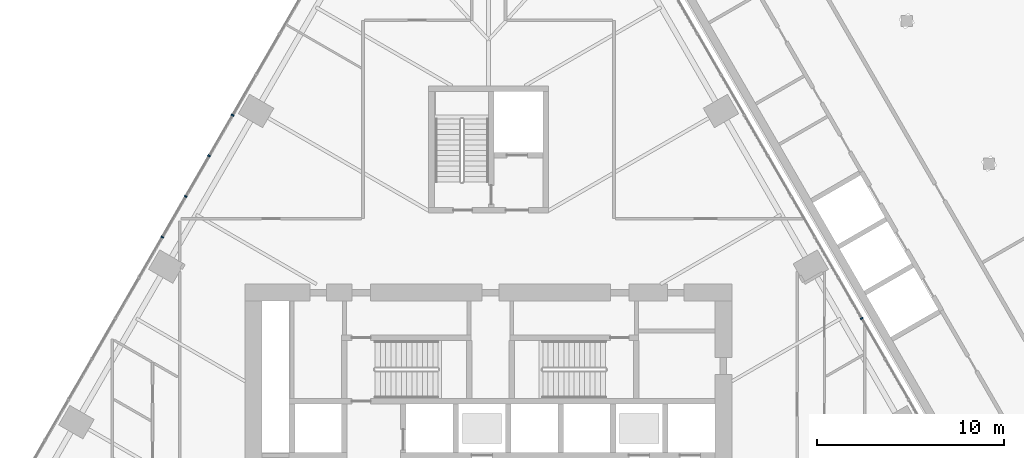
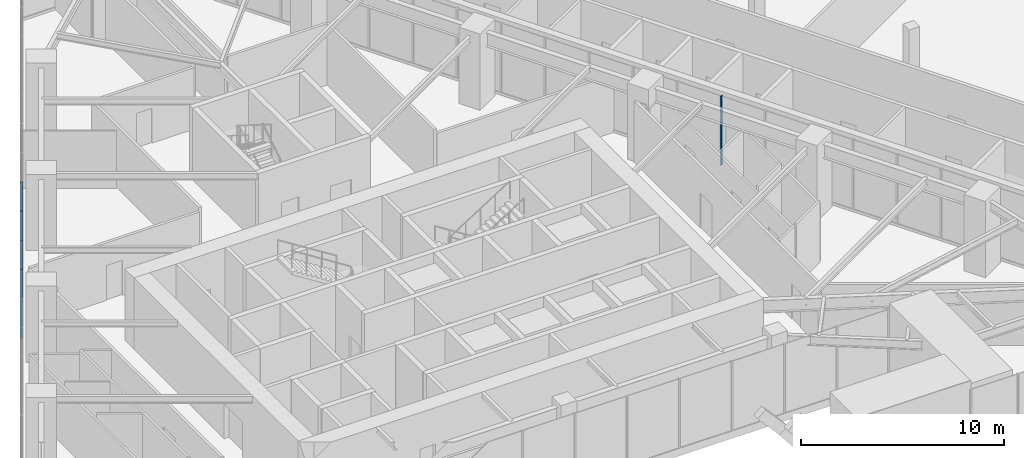
# One storey, part 10 of 29: 5 members, 2 elements without a shape of their own.
"""IFC4 building model written with IfcOpenShell, lengths in metres."""

from ifc_helpers import new_model, si_unit, direction, frame, origin, origin_2d, place, context, subcontext, project, spatial, rectangle, extrude, material, layer, layer_set, material_profile, profile_set, type_object, element, aggregate, save


model = new_model("IFC4")

# Units and contexts
model_context = context("Model", 3, precision=1e-05, world=origin(), true_north=direction((0.0, 1.0)))
body_context = subcontext(model_context, "Body", "Model", "MODEL_VIEW")
ifc_project = project(units=[si_unit("LENGTHUNIT", "METRE"), si_unit("AREAUNIT", "SQUARE_METRE"), si_unit("VOLUMEUNIT", "CUBIC_METRE"), si_unit("PLANEANGLEUNIT", "RADIAN"), si_unit("MASSUNIT", "GRAM", prefix="KILO")], contexts=[model_context])

# Site, building, storey
site_placement = place(None, origin())
site = spatial("IfcSite", under=ifc_project, at=site_placement, CompositionType="ELEMENT")
building_placement = place(site_placement, origin())
building = spatial("IfcBuilding", under=site, at=building_placement, Name="Firuza Gate Tower and Library", CompositionType="ELEMENT")
storey_placement = place(building_placement, frame((0.0, 0.0, 17.199951171875)))
storey = spatial("IfcBuildingStorey", under=building, at=storey_placement, Name="L03", CompositionType="ELEMENT", Elevation=17.199951171875)

# Curtain wall, member
ifc_material_1 = material(Name="Aluminium 6063-T6", Category="aluminium")
ifc_layer = layer(ifc_material_1, 0.14990234375)
ifc_layer_set = layer_set([ifc_layer], Name="Stick curtain wall, podium")
curtain_wall_type = type_object("IfcCurtainWallType", Name="Stick curtain wall, podium", PredefinedType="NOTDEFINED", material=ifc_layer_set)
placement = place(storey_placement, origin())
curtain_wall_1 = element("IfcCurtainWall", 1, at=placement, inside=storey, type_object=curtain_wall_type, Name="CW5 L03 E", PredefinedType="NOTDEFINED")
ifc_material_2 = material(Name="Aluminium 6063-T6", Category="aluminium")
ifc_material_profile = material_profile(ifc_material_2, rectangle(XDim=0.14990234375, YDim=0.080078125, at=origin_2d()))
ifc_profile_set = profile_set([ifc_material_profile], Name="Aluminium 6063-T6")
member_type = type_object("IfcMemberType", Name="Curtain wall mullion 80x150", PredefinedType="MULLION", material=ifc_profile_set)
member_1_placement = place(storey_placement, frame((94.946044921875, 82.171630859375, 0.150146484375), z_axis=(0.0, 0.0, 1.0), x_axis=(-0.866025403784, -0.5, 0.0)))
member_1 = element("IfcMember", 2, at=member_1_placement, type_object=member_type, Name="Mullion", PredefinedType="MULLION", context=body_context, shape_type="SweptSolid", body=[
    extrude(rectangle(XDim=0.14990234375, YDim=0.080078125, at=origin_2d()), origin(), (0.0, 0.0, 1.0), 4.14990234375),
])
aggregate(curtain_wall_1, [member_1])

# Curtain wall, members
curtain_wall_2 = element("IfcCurtainWall", 3, at=placement, inside=storey, type_object=curtain_wall_type, Name="CW5 L03 W", PredefinedType="NOTDEFINED")
member_2_placement = place(storey_placement, frame((61.32421875, 93.0322265625, 0.150146484375), z_axis=(0.0, 0.0, 1.0), x_axis=(0.866025403784, -0.5, 0.0)))
member_2 = element("IfcMember", 4, at=member_2_placement, type_object=member_type, Name="Mullion", PredefinedType="MULLION", context=body_context, shape_type="SweptSolid", body=[
    extrude(rectangle(XDim=0.14990234375, YDim=0.080078125, at=origin_2d()), origin(), (0.0, 0.0, 1.0), 4.14990234375),
])
member_3_placement = place(storey_placement, frame((60.070068359375, 90.860107421875, 0.150146484375), z_axis=(0.0, 0.0, 1.0), x_axis=(0.866025403784, -0.5, 0.0)))
member_3 = element("IfcMember", 5, at=member_3_placement, type_object=member_type, Name="Mullion", PredefinedType="MULLION", context=body_context, shape_type="SweptSolid", body=[
    extrude(rectangle(XDim=0.14990234375, YDim=0.080078125, at=origin_2d()), origin(), (0.0, 0.0, 1.0), 4.14990234375),
])
member_4_placement = place(storey_placement, frame((58.816162109375, 88.68798828125, 0.150146484375), z_axis=(0.0, 0.0, 1.0), x_axis=(0.866025403784, -0.5, 0.0)))
member_4 = element("IfcMember", 6, at=member_4_placement, type_object=member_type, Name="Mullion", PredefinedType="MULLION", context=body_context, shape_type="SweptSolid", body=[
    extrude(rectangle(XDim=0.14990234375, YDim=0.080078125, at=origin_2d()), origin(), (0.0, 0.0, 1.0), 4.14990234375),
])
member_5_placement = place(storey_placement, frame((57.56201171875, 86.515869140625, 0.150146484375), z_axis=(0.0, 0.0, 1.0), x_axis=(0.866025403784, -0.5, 0.0)))
member_5 = element("IfcMember", 7, at=member_5_placement, type_object=member_type, Name="Mullion", PredefinedType="MULLION", context=body_context, shape_type="SweptSolid", body=[
    extrude(rectangle(XDim=0.14990234375, YDim=0.080078125, at=origin_2d()), origin(), (0.0, 0.0, 1.0), 4.14990234375),
])
aggregate(curtain_wall_2, [member_2, member_3, member_4, member_5])

save(model, "model.ifc")
